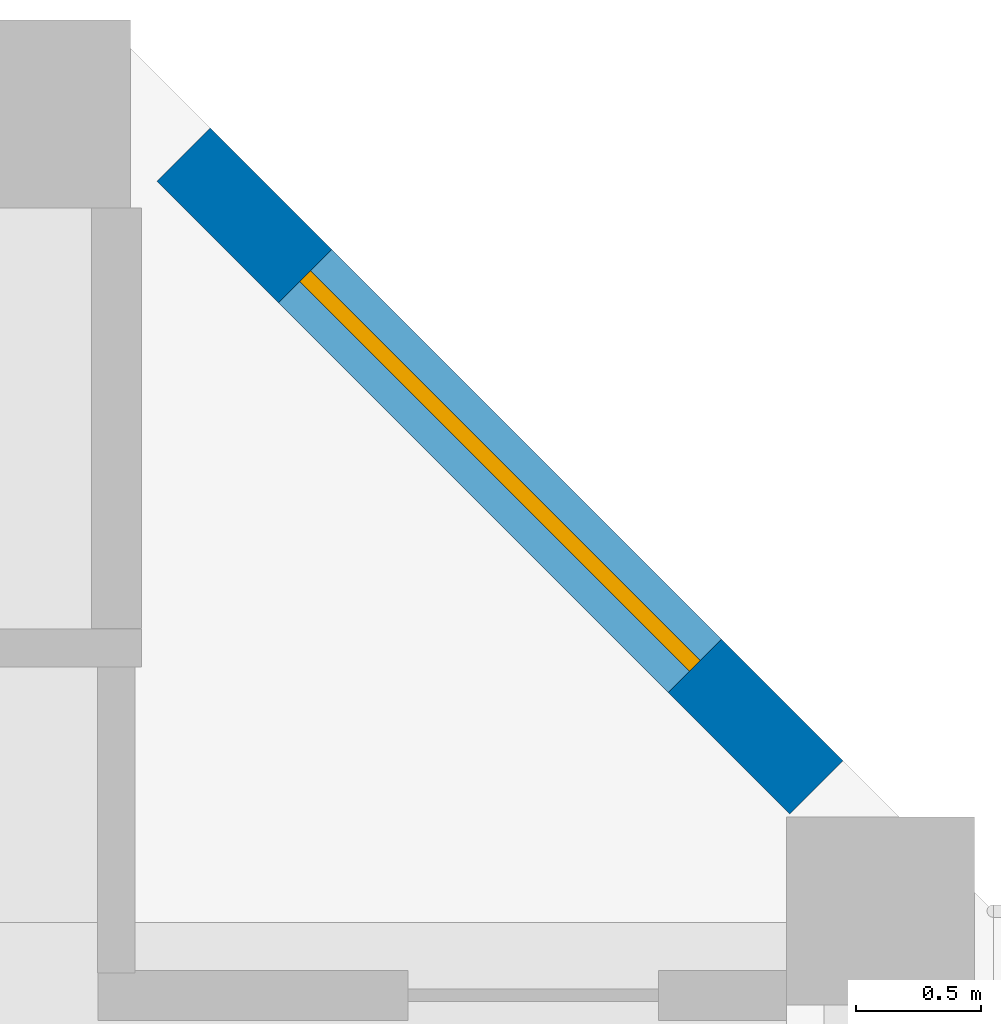
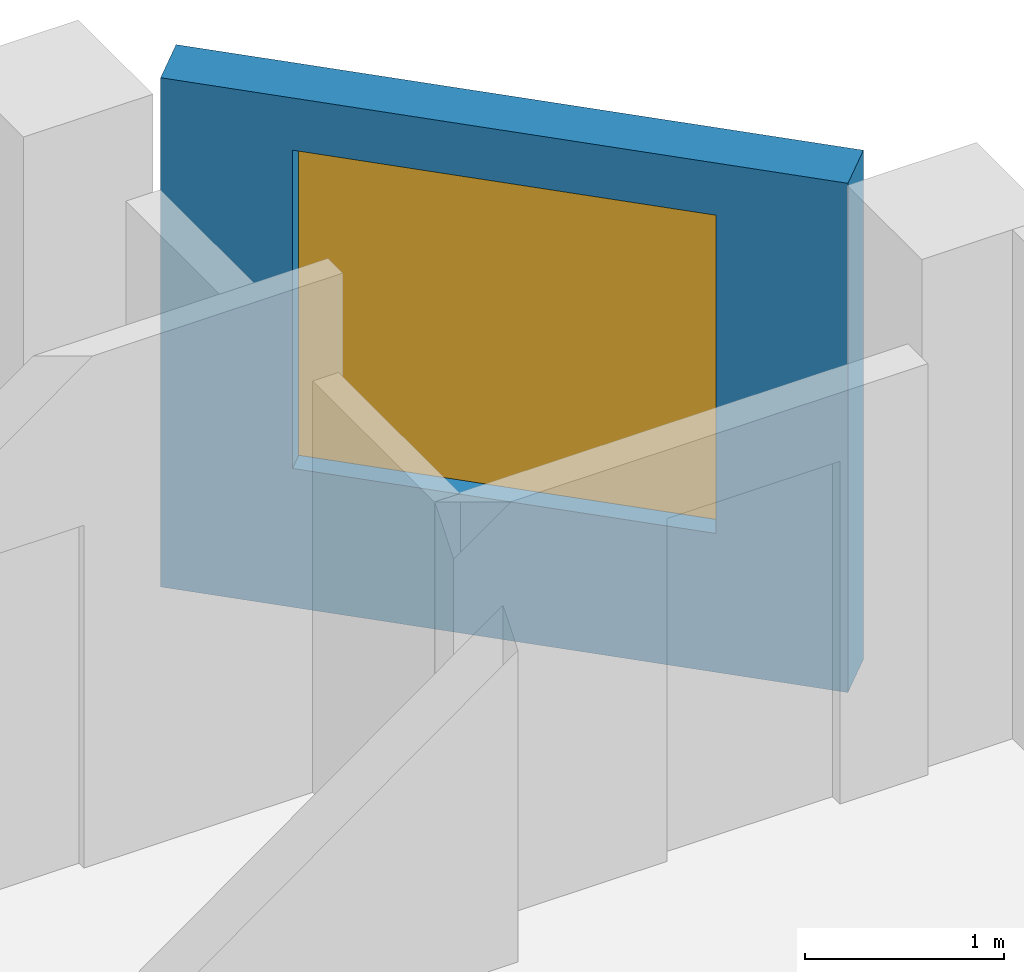
# One storey, part 11 of 23: 1 wall, 1 window, 1 opening.
"""IFC4 building model written with IfcOpenShell, lengths in metres."""

from ifc_helpers import new_model, si_unit, direction, frame, frame_2d, origin, place, context, subcontext, project, spatial, rectangle, extrude, source, transform, mapped, material, layer, layer_set, type_object, element, fill, save


model = new_model("IFC4")

# Units and contexts
model_context = context("Model", 3, precision=1e-05, world=origin(), true_north=direction((0.0, 1.0)))
body_context = subcontext(model_context, "Body", "Model", "MODEL_VIEW")
ifc_project = project(units=[si_unit("LENGTHUNIT", "METRE"), si_unit("AREAUNIT", "SQUARE_METRE"), si_unit("VOLUMEUNIT", "CUBIC_METRE"), si_unit("PLANEANGLEUNIT", "RADIAN"), si_unit("MASSUNIT", "GRAM", prefix="KILO")], contexts=[model_context])

# Site, building, storey
site_placement = place(None, origin())
site = spatial("IfcSite", under=ifc_project, at=site_placement, CompositionType="ELEMENT")
building_placement = place(site_placement, origin())
building = spatial("IfcBuilding", under=site, at=building_placement, Name="Kilnfold Tower and Market Hall", CompositionType="ELEMENT")
storey_placement = place(building_placement, frame((0.0, 0.0, 203.300048828125)))
storey = spatial("IfcBuildingStorey", under=building, at=storey_placement, Name="L49", CompositionType="ELEMENT", Elevation=203.300048828125)

# Wall, opening, window
ifc_material_1 = material(Name="Precast concrete C50/60", Category="concrete")
ifc_layer = layer(ifc_material_1, 0.300048828125)
ifc_layer_set = layer_set([ifc_layer], Name="Precast concrete C50/60")
wall_type = type_object("IfcWallType", Name="PRECAST WALL 300", PredefinedType="SOLIDWALL", material=ifc_layer_set)
shared_shape = source(origin(), body_context, "Body", "SweptSolid", [
    extrude(rectangle(XDim=3.571044921875, YDim=0.300048828125, at=frame_2d((1.78564453125, 0.0))), origin(), (0.0, 0.0, 1.0), 3.119873046875),
])
wall_placement = place(storey_placement, frame((30.5439453125, 23.243896484375, 0.0), z_axis=(0.0, 0.0, 1.0), x_axis=(-0.707140964879, 0.707072595841, 0.0)))
wall = element("IfcWall", 1, at=wall_placement, inside=storey, type_object=wall_type, Name="External wall L49 NE", PredefinedType="SOLIDWALL", context=body_context, shape_type="MappedRepresentation", body=[
    mapped(shared_shape, transform((0.0, 0.0, 0.0))),
])
opening_placement = place(wall_placement, frame((0.685546875, 0.0, 0.85009765625)))
opening = element("IfcOpeningElement", 2, at=opening_placement, cuts=wall, Name="Opening W2", PredefinedType="OPENING", context=body_context, shape_type="SweptSolid", body=[
    extrude(rectangle(XDim=2.199951171875, YDim=1.949951171875, at=frame_2d((1.10009765625, 0.97509765625))), frame((0.0, 0.16015625, 0.0), z_axis=(0.0, -1.0, 0.0), x_axis=(1.0, 0.0, 0.0)), (0.0, 0.0, 1.0), 0.320068359375),
])
ifc_material_2 = material(Name="Aluminium frame and double glazing", Category="aluminium")
window_type = type_object("IfcWindowType", Name="WINDOW W2 2200X1950", PartitioningType="SINGLE_PANEL", PredefinedType="WINDOW", material=ifc_material_2)
window_placement = place(opening_placement, origin())
window = element("IfcWindow", 3, at=window_placement, inside=storey, type_object=window_type, Name="Window W2 L49 NE-1", OverallHeight=1.949951171875, OverallWidth=2.199951171875, PartitioningType="SINGLE_PANEL", PredefinedType="WINDOW", context=body_context, shape_type="SweptSolid", body=[
    extrude(rectangle(XDim=2.199951171875, YDim=1.949951171875, at=frame_2d((1.10009765625, 0.97509765625))), frame((0.0, 0.030029296875, 0.0), z_axis=(0.0, -1.0, 0.0), x_axis=(1.0, 0.0, 0.0)), (0.0, 0.0, 1.0), 0.06005859375),
])
fill(opening, window)

save(model, "model.ifc")
